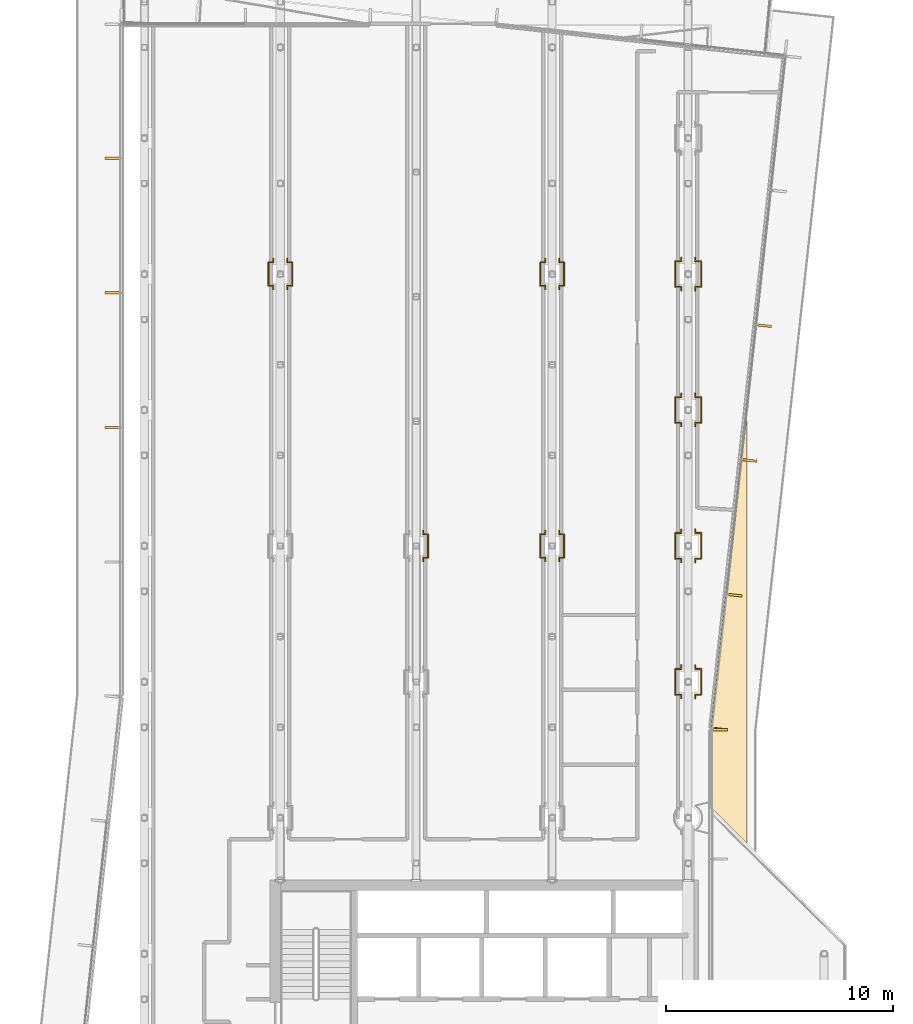
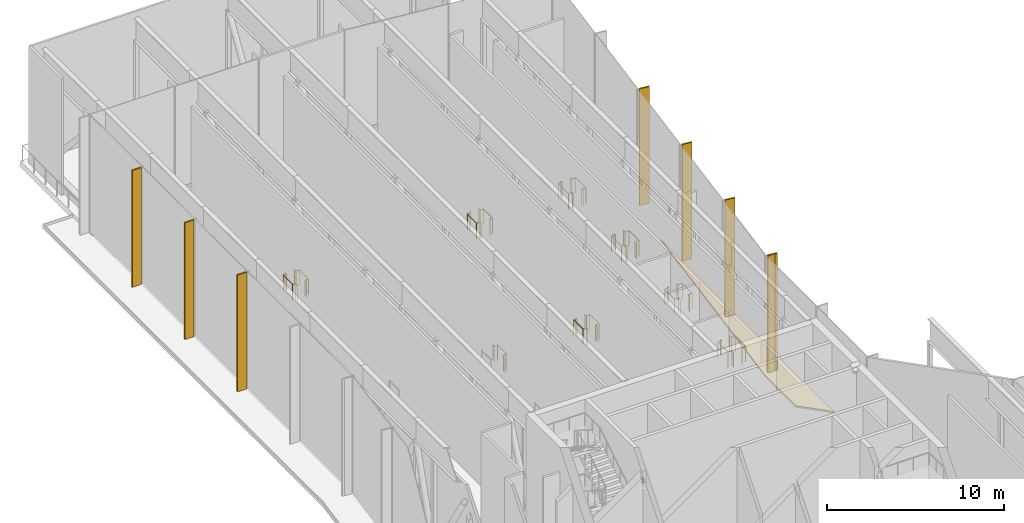
# One storey, part 20 of 21: 15 railings, 9 coverings.
"""IFC4 building model written with IfcOpenShell, lengths in metres."""

import ifcopenshell
import ifcopenshell.guid

model = None  # the IFC model being written
_history = None  # IfcOwnerHistory: only IFC2X3 demands one
_inside = {}  # id of a spatial element -> (the spatial element, [elements in it])
_under = {}  # id of a project, library or spatial element -> (it, [spatial elements below it])
_declared = {}  # id of a project -> (the project, [libraries it declares])
_typed = {}  # id of a type object -> (the type object, [elements of that type])
_made_of = {}  # id of a material, layer set ... -> (it, [elements and type objects made of it])


def new_model(schema):
    """Start an empty IFC model of exactly this schema.

    Asked for "IFC4X3", IfcOpenShell would pick the latest addendum, in which some entities
    have other attributes; the version numbers below select the first issue.
    IFC2X3 requires an IfcOwnerHistory on every rooted entity: one is made here for all.
    """
    global model, _history
    if schema == "IFC4X3":
        model = ifcopenshell.file(schema_version=(4, 3, 0, 0))
    else:
        model = ifcopenshell.file(schema=schema)
    _inside.clear()
    _under.clear()
    _declared.clear()
    _typed.clear()
    _made_of.clear()
    _history = None
    if model.schema == "IFC2X3":
        org = make("IfcOrganization", Name="unknown")
        user = make(
            "IfcPersonAndOrganization",
            ThePerson=make("IfcPerson", FamilyName="unknown"),
            TheOrganization=org,
        )
        app = make(
            "IfcApplication",
            ApplicationDeveloper=org,
            Version="unknown",
            ApplicationFullName="unknown",
            ApplicationIdentifier="unknown",
        )
        _history = make(
            "IfcOwnerHistory",
            OwningUser=user,
            OwningApplication=app,
            ChangeAction="ADDED",
            CreationDate=0,
        )
    return model


def make(cls, **values):
    """One entity of the class cls with the attributes given. An attribute that is None is left unset."""
    return model.create_entity(
        cls, **{name: value for name, value in values.items() if value is not None}
    )


def rooted(cls, **values):
    """An entity with a GlobalId (a new one), such as an element, a storey or a relation."""
    return make(cls, GlobalId=ifcopenshell.guid.new(), OwnerHistory=_history, **values)


def si_unit(unit_type, name, prefix=None):
    """IfcSIUnit, for example si_unit("LENGTHUNIT", "METRE", prefix="MILLI")."""
    return make("IfcSIUnit", UnitType=unit_type, Prefix=prefix, Name=name)


def assignment(units):
    """IfcUnitAssignment: the units of a project."""
    return None if units is None else make("IfcUnitAssignment", Units=units)


def point(xyz):
    """IfcCartesianPoint."""
    return None if xyz is None else make("IfcCartesianPoint", Coordinates=xyz)


def direction(xyz):
    """IfcDirection."""
    return None if xyz is None else make("IfcDirection", DirectionRatios=xyz)


def frame(location, z_axis=None, x_axis=None):
    """IfcAxis2Placement3D, a coordinate frame: its origin and axes. An axis left out is left unset."""
    return make(
        "IfcAxis2Placement3D",
        Location=point(location),
        Axis=direction(z_axis),
        RefDirection=direction(x_axis),
    )


def frame_2d(location, x_axis=None):
    """IfcAxis2Placement2D, a coordinate frame in the plane: its origin and x axis."""
    return make(
        "IfcAxis2Placement2D", Location=point(location), RefDirection=direction(x_axis)
    )


def origin():
    """The frame at (0, 0, 0) with its axes left unset."""
    return frame((0.0, 0.0, 0.0))


def origin_2d():
    """The frame at (0, 0) in the plane with its x axis left unset."""
    return frame_2d((0.0, 0.0))


def place(relative_to, where):
    """IfcLocalPlacement: puts the frame where relative to a parent placement (None: the world)."""
    return make(
        "IfcLocalPlacement", PlacementRelTo=relative_to, RelativePlacement=where
    )


def context(
    kind, dimensions, precision=None, world=None, true_north=None, identifier=None
):
    """IfcGeometricRepresentationContext, for example the 3D "Model" context."""
    return make(
        "IfcGeometricRepresentationContext",
        ContextIdentifier=identifier,
        ContextType=kind,
        CoordinateSpaceDimension=dimensions,
        Precision=precision,
        WorldCoordinateSystem=world,
        TrueNorth=true_north,
    )


def subcontext(parent, identifier, kind, view, scale=None):
    """IfcGeometricRepresentationSubContext, for example "Body" below "Model"."""
    return make(
        "IfcGeometricRepresentationSubContext",
        ContextIdentifier=identifier,
        ContextType=kind,
        ParentContext=parent,
        TargetScale=scale,
        TargetView=view,
    )


def project(units=None, contexts=None):
    """IfcProject with its units and contexts."""
    return rooted(
        "IfcProject",
        Name="project",
        RepresentationContexts=contexts,
        UnitsInContext=assignment(units),
    )


def spatial(cls, under=None, at=None, **own):
    """A site, building, storey or space (cls), placed at a placement, below another one or the project."""
    s = rooted(cls, ObjectPlacement=at, **own)
    if under is not None:
        _under.setdefault(under.id(), (under, []))[1].append(s)
    return s


def polyline(points):
    """IfcPolyline through the points."""
    return make("IfcPolyline", Points=[point(p) for p in points])


def profile(cls, at=None, kind="AREA", **sizes):
    """A parametric profile (cls). Its sizes go by their IFC names, for example OverallWidth=200.0."""
    return make(cls, ProfileType=kind, Position=at, **sizes)


def rectangle(**sizes):
    """IfcRectangleProfileDef."""
    return profile("IfcRectangleProfileDef", **sizes)


def circle(**sizes):
    """IfcCircleProfileDef."""
    return profile("IfcCircleProfileDef", **sizes)


def outline(outer, holes=None, kind="AREA"):
    """IfcArbitraryClosedProfileDef: a profile drawn as a closed curve; with holes, ...WithVoids."""
    if holes is None:
        return make("IfcArbitraryClosedProfileDef", ProfileType=kind, OuterCurve=outer)
    return make(
        "IfcArbitraryProfileDefWithVoids",
        ProfileType=kind,
        OuterCurve=outer,
        InnerCurves=holes,
    )


def extrude(swept, where, along, depth):
    """IfcExtrudedAreaSolid: the profile swept, set in the frame where, extruded along a direction by depth."""
    return make(
        "IfcExtrudedAreaSolid",
        SweptArea=swept,
        Position=where,
        ExtrudedDirection=direction(along),
        Depth=depth,
    )


def shape(context_of_items, identifier, shape_type, items):
    """IfcShapeRepresentation: the items that make up one representation, for example the "Body"."""
    return make(
        "IfcShapeRepresentation",
        ContextOfItems=context_of_items,
        RepresentationIdentifier=identifier,
        RepresentationType=shape_type,
        Items=items,
    )


def material(Name=None, Category=None):
    """IfcMaterial."""
    return make("IfcMaterial", Name=Name, Category=Category)


def layer(
    of_material, thickness, ventilated=None, Name=None, Category=None, Priority=None
):
    """IfcMaterialLayer: one layer of a wall or slab, of a material (None: an air gap)."""
    return make(
        "IfcMaterialLayer",
        Material=of_material,
        LayerThickness=thickness,
        IsVentilated=ventilated,
        Name=Name,
        Category=Category,
        Priority=Priority,
    )


def layer_set(layers, Name=None):
    """IfcMaterialLayerSet."""
    return make("IfcMaterialLayerSet", MaterialLayers=layers, LayerSetName=Name)


def made_of(thing, what):
    """Note that an element or type object is made of a material, layer set ...; save() writes the relation."""
    if what is not None:
        _made_of.setdefault(what.id(), (what, []))[1].append(thing)
    return thing


def type_object(cls, material=None, **own):
    """A type object (cls), such as IfcWallType, which elements share."""
    return made_of(rooted(cls, **own), material)


def element(
    cls,
    number,
    at=None,
    inside=None,
    cuts=None,
    type_object=None,
    material=None,
    context=None,
    identifier="Body",
    shape_type=None,
    held_by="IfcProductDefinitionShape",
    body=None,
    shapes=None,
    **own,
):
    """One element of the class cls, such as IfcWall. Its Tag is "e" and its number.

    at: its placement. inside: the storey or other place that contains it. cuts: it is an
    opening in that element (IfcRelVoidsElement). A single representation is given by context,
    identifier, shape_type and body (its items); several are given by shapes. held_by: the class
    of the entity that holds the representations. save() writes the other relations.
    """
    e = rooted(cls, Tag="e%d" % number, ObjectPlacement=at, **own)
    if body is not None:
        shapes = [shape(context, identifier, shape_type, body)]
    if shapes is not None:
        e.Representation = make(held_by, Representations=shapes)
    if inside is not None:
        _inside.setdefault(inside.id(), (inside, []))[1].append(e)
    if cuts is not None:
        rooted(
            "IfcRelVoidsElement", RelatingBuildingElement=cuts, RelatedOpeningElement=e
        )
    if type_object is not None:
        _typed.setdefault(type_object.id(), (type_object, []))[1].append(e)
    return made_of(e, material)


def aggregate(whole, parts):
    """IfcRelAggregates: a whole, such as a stair, and the parts it consists of."""
    return rooted("IfcRelAggregates", RelatingObject=whole, RelatedObjects=parts)


def save(model, path):
    """Write the relations noted so far, then the file.

    IfcRelAggregates (storeys below a building ...), IfcRelContainedInSpatialStructure (elements
    in a storey), IfcRelDefinesByType, IfcRelAssociatesMaterial and IfcRelDeclares: one each for
    every whole, place, type object, material and project.
    """
    for whole, parts in _under.values():
        aggregate(whole, parts)
    for where, things in _inside.values():
        rooted(
            "IfcRelContainedInSpatialStructure",
            RelatedElements=things,
            RelatingStructure=where,
        )
    for kind, things in _typed.values():
        rooted("IfcRelDefinesByType", RelatedObjects=things, RelatingType=kind)
    for what, things in _made_of.values():
        rooted("IfcRelAssociatesMaterial", RelatedObjects=things, RelatingMaterial=what)
    for by, libraries in _declared.values():
        rooted("IfcRelDeclares", RelatingContext=by, RelatedDefinitions=libraries)
    model.write(path)


model = new_model("IFC4")

# Units and contexts
model_context = context("Model", 3, precision=1e-05, world=origin(), true_north=direction((0.0, 1.0)))
body_context = subcontext(model_context, "Body", "Model", "MODEL_VIEW")
ifc_project = project(units=[si_unit("LENGTHUNIT", "METRE"), si_unit("AREAUNIT", "SQUARE_METRE"), si_unit("VOLUMEUNIT", "CUBIC_METRE"), si_unit("PLANEANGLEUNIT", "RADIAN"), si_unit("MASSUNIT", "GRAM", prefix="KILO")], contexts=[model_context])

# Site, building, storey
site_placement = place(None, origin())
site = spatial("IfcSite", under=ifc_project, at=site_placement, CompositionType="ELEMENT")
building_placement = place(site_placement, origin())
building = spatial("IfcBuilding", under=site, at=building_placement, Name="Welwitschia Terrace Campus", CompositionType="ELEMENT")
storey_placement = place(building_placement, frame((0.0, 0.0, 255.800048828125)))
storey = spatial("IfcBuildingStorey", under=building, at=storey_placement, Name="L57", CompositionType="ELEMENT", Elevation=255.800048828125)

# Coverings
ifc_material_1 = material(Name="Bronze anodised aluminium", Category="aluminium")
ifc_layer_1 = layer(ifc_material_1, 0.10009765625)
ifc_layer_set_1 = layer_set([ifc_layer_1], Name="Bronze anodised aluminium")
covering_type_1 = type_object("IfcCoveringType", Name="Bronze fin 100x600", PredefinedType="USERDEFINED", material=ifc_layer_set_1)
for number, where, z_axis, x_axis, name in (
    (1, (25.429931640625, 31.89111328125, 0.0), (0.0, 0.0, 1.0), (0.0, 1.0, 0.0), "Fin L57.3.2"),
    (2, (25.430908203125, 31.90966796875, 0.0), (0.0, 0.0, 1.0), (0.108866874852, 0.994056338222, 0.0), "Fin L57.4.0"),
    (3, (26.078857421875, 37.82470703125, 0.0), (0.0, 0.0, 1.0), (0.108866874852, 0.994056338222, 0.0), "Fin L57.4.1"),
    (4, (26.72998046875, 43.769775390625, 0.0), (0.0, 0.0, 1.0), (0.108866874852, 0.994056338222, 0.0), "Fin L57.4.2"),
    (5, (27.381103515625, 49.71484375, 0.0), (0.0, 0.0, 1.0), (0.108866874852, 0.994056338222, 0.0), "Fin L57.4.3"),
    (6, (-1.429931640625, 57.109130859375, 0.0), (0.0, 0.0, 1.0), (0.0, -1.0, 0.0), "Fin L57.7.1"),
    (7, (-1.429931640625, 51.16845703125, 0.0), (0.0, 0.0, 1.0), (0.0, -1.0, 0.0), "Fin L57.7.2"),
    (8, (-1.429931640625, 45.227783203125, 0.0), (0.0, 0.0, 1.0), (0.0, -1.0, 0.0), "Fin L57.7.3"),
):
    element("IfcCovering", number, at=place(storey_placement, frame(where, z_axis=z_axis, x_axis=x_axis)), inside=storey, type_object=covering_type_1, Name=name, ObjectType="FIN", PredefinedType="USERDEFINED", context=body_context, shape_type="SweptSolid", body=[
        extrude(rectangle(XDim=0.10009765625, YDim=0.60009765625, at=origin_2d()), origin(), (0.0, 0.0, 1.0), 8.050048828125),
    ])

# Railings
ifc_material_2 = material(Name="Stainless steel grade 316", Category="steel")
railing_type = type_object("IfcRailingType", Name="Guard 1100", PredefinedType="GUARDRAIL", material=ifc_material_2)
railing_1_placement = place(storey_placement, frame((23.695068359375, 40.72998046875, 0.0)))
element("IfcRailing", 9, at=railing_1_placement, inside=storey, type_object=railing_type, Name="Guard floor edge L57.8", PredefinedType="GUARDRAIL", context=body_context, shape_type="SweptSolid", body=[
    extrude(circle(Radius=0.02392578125, at=origin_2d()), frame((0.0, 0.0, 1.076171875), z_axis=(0.0, -1.0, 0.0), x_axis=(1.0, 0.0, 0.0)), (0.0, 0.0, 1.0), 0.159912109375),
    extrude(circle(Radius=0.02392578125, at=origin_2d()), frame((0.0, -0.159912109375, 1.076171875), z_axis=(-1.0, 0.0, 0.0), x_axis=(0.0, -1.0, 0.0)), (0.0, 0.0, 1.0), 0.26513671875),
    extrude(circle(Radius=0.02392578125, at=origin_2d()), frame((-0.26513671875, -0.159912109375, 1.076171875), z_axis=(0.0, -1.0, 0.0), x_axis=(1.0, 0.0, 0.0)), (0.0, 0.0, 1.0), 1.14013671875),
    extrude(circle(Radius=0.02392578125, at=origin_2d()), frame((-0.26513671875, -1.300048828125, 1.076171875), z_axis=(1.0, 0.0, 0.0), x_axis=(0.0, 1.0, 0.0)), (0.0, 0.0, 1.0), 0.26513671875),
    extrude(circle(Radius=0.02392578125, at=origin_2d()), frame((0.0, -1.300048828125, 1.076171875), z_axis=(0.0, -1.0, 0.0), x_axis=(1.0, 0.0, 0.0)), (0.0, 0.0, 1.0), 0.159912109375),
    extrude(circle(Radius=0.02099609375, at=origin_2d()), origin(), (0.0, 0.0, 1.0), 1.052001953125),
    extrude(circle(Radius=0.02099609375, at=origin_2d()), frame((0.0, -0.159912109375, 0.0)), (0.0, 0.0, 1.0), 1.052001953125),
    extrude(circle(Radius=0.02099609375, at=origin_2d()), frame((-0.26513671875, -0.159912109375, 0.0)), (0.0, 0.0, 1.0), 1.052001953125),
    extrude(circle(Radius=0.02099609375, at=origin_2d()), frame((-0.26513671875, -1.300048828125, 0.0)), (0.0, 0.0, 1.0), 1.052001953125),
    extrude(circle(Radius=0.02099609375, at=origin_2d()), frame((0.0, -1.300048828125, 0.0)), (0.0, 0.0, 1.0), 1.052001953125),
    extrude(circle(Radius=0.02099609375, at=origin_2d()), frame((0.0, -1.4599609375, 0.0)), (0.0, 0.0, 1.0), 1.052001953125),
])
railing_2_placement = place(storey_placement, frame((24.304931640625, 39.27001953125, 0.0)))
element("IfcRailing", 10, at=railing_2_placement, inside=storey, type_object=railing_type, Name="Guard floor edge L57.9", PredefinedType="GUARDRAIL", context=body_context, shape_type="SweptSolid", body=[
    extrude(circle(Radius=0.02392578125, at=origin_2d()), frame((0.0, 0.0, 1.076171875), z_axis=(0.0, 1.0, 0.0), x_axis=(-1.0, 0.0, 0.0)), (0.0, 0.0, 1.0), 0.159912109375),
    extrude(circle(Radius=0.02392578125, at=origin_2d()), frame((0.0, 0.159912109375, 1.076171875), z_axis=(1.0, 0.0, 0.0), x_axis=(0.0, 1.0, 0.0)), (0.0, 0.0, 1.0), 0.26513671875),
    extrude(circle(Radius=0.02392578125, at=origin_2d()), frame((0.26513671875, 0.159912109375, 1.076171875), z_axis=(0.0, 1.0, 0.0), x_axis=(-1.0, 0.0, 0.0)), (0.0, 0.0, 1.0), 1.14013671875),
    extrude(circle(Radius=0.02392578125, at=origin_2d()), frame((0.26513671875, 1.300048828125, 1.076171875), z_axis=(-1.0, 0.0, 0.0), x_axis=(0.0, -1.0, 0.0)), (0.0, 0.0, 1.0), 0.26513671875),
    extrude(circle(Radius=0.02392578125, at=origin_2d()), frame((0.0, 1.300048828125, 1.076171875), z_axis=(0.0, 1.0, 0.0), x_axis=(-1.0, 0.0, 0.0)), (0.0, 0.0, 1.0), 0.159912109375),
    extrude(circle(Radius=0.02099609375, at=origin_2d()), origin(), (0.0, 0.0, 1.0), 1.052001953125),
    extrude(circle(Radius=0.02099609375, at=origin_2d()), frame((0.0, 0.159912109375, 0.0)), (0.0, 0.0, 1.0), 1.052001953125),
    extrude(circle(Radius=0.02099609375, at=origin_2d()), frame((0.26513671875, 0.159912109375, 0.0)), (0.0, 0.0, 1.0), 1.052001953125),
    extrude(circle(Radius=0.02099609375, at=origin_2d()), frame((0.26513671875, 1.300048828125, 0.0)), (0.0, 0.0, 1.0), 1.052001953125),
    extrude(circle(Radius=0.02099609375, at=origin_2d()), frame((0.0, 1.300048828125, 0.0)), (0.0, 0.0, 1.0), 1.052001953125),
    extrude(circle(Radius=0.02099609375, at=origin_2d()), frame((0.0, 1.4599609375, 0.0)), (0.0, 0.0, 1.0), 1.052001953125),
])
railing_3_placement = place(storey_placement, frame((23.695068359375, 46.72998046875, 0.0)))
element("IfcRailing", 11, at=railing_3_placement, inside=storey, type_object=railing_type, Name="Guard floor edge L57.10", PredefinedType="GUARDRAIL", context=body_context, shape_type="SweptSolid", body=[
    extrude(circle(Radius=0.02392578125, at=origin_2d()), frame((0.0, 0.0, 1.076171875), z_axis=(0.0, -1.0, 0.0), x_axis=(1.0, 0.0, 0.0)), (0.0, 0.0, 1.0), 0.159912109375),
    extrude(circle(Radius=0.02392578125, at=origin_2d()), frame((0.0, -0.159912109375, 1.076171875), z_axis=(-1.0, 0.0, 0.0), x_axis=(0.0, -1.0, 0.0)), (0.0, 0.0, 1.0), 0.26513671875),
    extrude(circle(Radius=0.02392578125, at=origin_2d()), frame((-0.26513671875, -0.159912109375, 1.076171875), z_axis=(0.0, -1.0, 0.0), x_axis=(1.0, 0.0, 0.0)), (0.0, 0.0, 1.0), 1.14013671875),
    extrude(circle(Radius=0.02392578125, at=origin_2d()), frame((-0.26513671875, -1.300048828125, 1.076171875), z_axis=(1.0, 0.0, 0.0), x_axis=(0.0, 1.0, 0.0)), (0.0, 0.0, 1.0), 0.26513671875),
    extrude(circle(Radius=0.02392578125, at=origin_2d()), frame((0.0, -1.300048828125, 1.076171875), z_axis=(0.0, -1.0, 0.0), x_axis=(1.0, 0.0, 0.0)), (0.0, 0.0, 1.0), 0.159912109375),
    extrude(circle(Radius=0.02099609375, at=origin_2d()), origin(), (0.0, 0.0, 1.0), 1.052001953125),
    extrude(circle(Radius=0.02099609375, at=origin_2d()), frame((0.0, -0.159912109375, 0.0)), (0.0, 0.0, 1.0), 1.052001953125),
    extrude(circle(Radius=0.02099609375, at=origin_2d()), frame((-0.26513671875, -0.159912109375, 0.0)), (0.0, 0.0, 1.0), 1.052001953125),
    extrude(circle(Radius=0.02099609375, at=origin_2d()), frame((-0.26513671875, -1.300048828125, 0.0)), (0.0, 0.0, 1.0), 1.052001953125),
    extrude(circle(Radius=0.02099609375, at=origin_2d()), frame((0.0, -1.300048828125, 0.0)), (0.0, 0.0, 1.0), 1.052001953125),
    extrude(circle(Radius=0.02099609375, at=origin_2d()), frame((0.0, -1.4599609375, 0.0)), (0.0, 0.0, 1.0), 1.052001953125),
])
railing_4_placement = place(storey_placement, frame((24.304931640625, 45.27001953125, 0.0)))
element("IfcRailing", 12, at=railing_4_placement, inside=storey, type_object=railing_type, Name="Guard floor edge L57.11", PredefinedType="GUARDRAIL", context=body_context, shape_type="SweptSolid", body=[
    extrude(circle(Radius=0.02392578125, at=origin_2d()), frame((0.0, 0.0, 1.076171875), z_axis=(0.0, 1.0, 0.0), x_axis=(-1.0, 0.0, 0.0)), (0.0, 0.0, 1.0), 0.159912109375),
    extrude(circle(Radius=0.02392578125, at=origin_2d()), frame((0.0, 0.159912109375, 1.076171875), z_axis=(1.0, 0.0, 0.0), x_axis=(0.0, 1.0, 0.0)), (0.0, 0.0, 1.0), 0.26513671875),
    extrude(circle(Radius=0.02392578125, at=origin_2d()), frame((0.26513671875, 0.159912109375, 1.076171875), z_axis=(0.0, 1.0, 0.0), x_axis=(-1.0, 0.0, 0.0)), (0.0, 0.0, 1.0), 1.14013671875),
    extrude(circle(Radius=0.02392578125, at=origin_2d()), frame((0.26513671875, 1.300048828125, 1.076171875), z_axis=(-1.0, 0.0, 0.0), x_axis=(0.0, -1.0, 0.0)), (0.0, 0.0, 1.0), 0.26513671875),
    extrude(circle(Radius=0.02392578125, at=origin_2d()), frame((0.0, 1.300048828125, 1.076171875), z_axis=(0.0, 1.0, 0.0), x_axis=(-1.0, 0.0, 0.0)), (0.0, 0.0, 1.0), 0.159912109375),
    extrude(circle(Radius=0.02099609375, at=origin_2d()), origin(), (0.0, 0.0, 1.0), 1.052001953125),
    extrude(circle(Radius=0.02099609375, at=origin_2d()), frame((0.0, 0.159912109375, 0.0)), (0.0, 0.0, 1.0), 1.052001953125),
    extrude(circle(Radius=0.02099609375, at=origin_2d()), frame((0.26513671875, 0.159912109375, 0.0)), (0.0, 0.0, 1.0), 1.052001953125),
    extrude(circle(Radius=0.02099609375, at=origin_2d()), frame((0.26513671875, 1.300048828125, 0.0)), (0.0, 0.0, 1.0), 1.052001953125),
    extrude(circle(Radius=0.02099609375, at=origin_2d()), frame((0.0, 1.300048828125, 0.0)), (0.0, 0.0, 1.0), 1.052001953125),
    extrude(circle(Radius=0.02099609375, at=origin_2d()), frame((0.0, 1.4599609375, 0.0)), (0.0, 0.0, 1.0), 1.052001953125),
])
railing_5_placement = place(storey_placement, frame((23.695068359375, 52.72998046875, 0.0)))
element("IfcRailing", 13, at=railing_5_placement, inside=storey, type_object=railing_type, Name="Guard floor edge L57.12", PredefinedType="GUARDRAIL", context=body_context, shape_type="SweptSolid", body=[
    extrude(circle(Radius=0.02392578125, at=origin_2d()), frame((0.0, 0.0, 1.076171875), z_axis=(0.0, -1.0, 0.0), x_axis=(1.0, 0.0, 0.0)), (0.0, 0.0, 1.0), 0.159912109375),
    extrude(circle(Radius=0.02392578125, at=origin_2d()), frame((0.0, -0.159912109375, 1.076171875), z_axis=(-1.0, 0.0, 0.0), x_axis=(0.0, -1.0, 0.0)), (0.0, 0.0, 1.0), 0.26513671875),
    extrude(circle(Radius=0.02392578125, at=origin_2d()), frame((-0.26513671875, -0.159912109375, 1.076171875), z_axis=(0.0, -1.0, 0.0), x_axis=(1.0, 0.0, 0.0)), (0.0, 0.0, 1.0), 1.14013671875),
    extrude(circle(Radius=0.02392578125, at=origin_2d()), frame((-0.26513671875, -1.300048828125, 1.076171875), z_axis=(1.0, 0.0, 0.0), x_axis=(0.0, 1.0, 0.0)), (0.0, 0.0, 1.0), 0.26513671875),
    extrude(circle(Radius=0.02392578125, at=origin_2d()), frame((0.0, -1.300048828125, 1.076171875), z_axis=(0.0, -1.0, 0.0), x_axis=(1.0, 0.0, 0.0)), (0.0, 0.0, 1.0), 0.159912109375),
    extrude(circle(Radius=0.02099609375, at=origin_2d()), origin(), (0.0, 0.0, 1.0), 1.052001953125),
    extrude(circle(Radius=0.02099609375, at=origin_2d()), frame((0.0, -0.159912109375, 0.0)), (0.0, 0.0, 1.0), 1.052001953125),
    extrude(circle(Radius=0.02099609375, at=origin_2d()), frame((-0.26513671875, -0.159912109375, 0.0)), (0.0, 0.0, 1.0), 1.052001953125),
    extrude(circle(Radius=0.02099609375, at=origin_2d()), frame((-0.26513671875, -1.300048828125, 0.0)), (0.0, 0.0, 1.0), 1.052001953125),
    extrude(circle(Radius=0.02099609375, at=origin_2d()), frame((0.0, -1.300048828125, 0.0)), (0.0, 0.0, 1.0), 1.052001953125),
    extrude(circle(Radius=0.02099609375, at=origin_2d()), frame((0.0, -1.4599609375, 0.0)), (0.0, 0.0, 1.0), 1.052001953125),
])
railing_6_placement = place(storey_placement, frame((24.304931640625, 51.27001953125, 0.0)))
element("IfcRailing", 14, at=railing_6_placement, inside=storey, type_object=railing_type, Name="Guard floor edge L57.13", PredefinedType="GUARDRAIL", context=body_context, shape_type="SweptSolid", body=[
    extrude(circle(Radius=0.02392578125, at=origin_2d()), frame((0.0, 0.0, 1.076171875), z_axis=(0.0, 1.0, 0.0), x_axis=(-1.0, 0.0, 0.0)), (0.0, 0.0, 1.0), 0.159912109375),
    extrude(circle(Radius=0.02392578125, at=origin_2d()), frame((0.0, 0.159912109375, 1.076171875), z_axis=(1.0, 0.0, 0.0), x_axis=(0.0, 1.0, 0.0)), (0.0, 0.0, 1.0), 0.26513671875),
    extrude(circle(Radius=0.02392578125, at=origin_2d()), frame((0.26513671875, 0.159912109375, 1.076171875), z_axis=(0.0, 1.0, 0.0), x_axis=(-1.0, 0.0, 0.0)), (0.0, 0.0, 1.0), 1.14013671875),
    extrude(circle(Radius=0.02392578125, at=origin_2d()), frame((0.26513671875, 1.300048828125, 1.076171875), z_axis=(-1.0, 0.0, 0.0), x_axis=(0.0, -1.0, 0.0)), (0.0, 0.0, 1.0), 0.26513671875),
    extrude(circle(Radius=0.02392578125, at=origin_2d()), frame((0.0, 1.300048828125, 1.076171875), z_axis=(0.0, 1.0, 0.0), x_axis=(-1.0, 0.0, 0.0)), (0.0, 0.0, 1.0), 0.159912109375),
    extrude(circle(Radius=0.02099609375, at=origin_2d()), origin(), (0.0, 0.0, 1.0), 1.052001953125),
    extrude(circle(Radius=0.02099609375, at=origin_2d()), frame((0.0, 0.159912109375, 0.0)), (0.0, 0.0, 1.0), 1.052001953125),
    extrude(circle(Radius=0.02099609375, at=origin_2d()), frame((0.26513671875, 0.159912109375, 0.0)), (0.0, 0.0, 1.0), 1.052001953125),
    extrude(circle(Radius=0.02099609375, at=origin_2d()), frame((0.26513671875, 1.300048828125, 0.0)), (0.0, 0.0, 1.0), 1.052001953125),
    extrude(circle(Radius=0.02099609375, at=origin_2d()), frame((0.0, 1.300048828125, 0.0)), (0.0, 0.0, 1.0), 1.052001953125),
    extrude(circle(Radius=0.02099609375, at=origin_2d()), frame((0.0, 1.4599609375, 0.0)), (0.0, 0.0, 1.0), 1.052001953125),
])
railing_7_placement = place(storey_placement, frame((23.695068359375, 34.72998046875, 0.0)))
element("IfcRailing", 15, at=railing_7_placement, inside=storey, type_object=railing_type, Name="Guard floor edge L57.16", PredefinedType="GUARDRAIL", context=body_context, shape_type="SweptSolid", body=[
    extrude(circle(Radius=0.02392578125, at=origin_2d()), frame((0.0, 0.0, 1.076171875), z_axis=(0.0, -1.0, 0.0), x_axis=(1.0, 0.0, 0.0)), (0.0, 0.0, 1.0), 0.159912109375),
    extrude(circle(Radius=0.02392578125, at=origin_2d()), frame((0.0, -0.159912109375, 1.076171875), z_axis=(-1.0, 0.0, 0.0), x_axis=(0.0, -1.0, 0.0)), (0.0, 0.0, 1.0), 0.26513671875),
    extrude(circle(Radius=0.02392578125, at=origin_2d()), frame((-0.26513671875, -0.159912109375, 1.076171875), z_axis=(0.0, -1.0, 0.0), x_axis=(1.0, 0.0, 0.0)), (0.0, 0.0, 1.0), 1.14013671875),
    extrude(circle(Radius=0.02392578125, at=origin_2d()), frame((-0.26513671875, -1.300048828125, 1.076171875), z_axis=(1.0, 0.0, 0.0), x_axis=(0.0, 1.0, 0.0)), (0.0, 0.0, 1.0), 0.26513671875),
    extrude(circle(Radius=0.02392578125, at=origin_2d()), frame((0.0, -1.300048828125, 1.076171875), z_axis=(0.0, -1.0, 0.0), x_axis=(1.0, 0.0, 0.0)), (0.0, 0.0, 1.0), 0.159912109375),
    extrude(circle(Radius=0.02099609375, at=origin_2d()), origin(), (0.0, 0.0, 1.0), 1.052001953125),
    extrude(circle(Radius=0.02099609375, at=origin_2d()), frame((0.0, -0.159912109375, 0.0)), (0.0, 0.0, 1.0), 1.052001953125),
    extrude(circle(Radius=0.02099609375, at=origin_2d()), frame((-0.26513671875, -0.159912109375, 0.0)), (0.0, 0.0, 1.0), 1.052001953125),
    extrude(circle(Radius=0.02099609375, at=origin_2d()), frame((-0.26513671875, -1.300048828125, 0.0)), (0.0, 0.0, 1.0), 1.052001953125),
    extrude(circle(Radius=0.02099609375, at=origin_2d()), frame((0.0, -1.300048828125, 0.0)), (0.0, 0.0, 1.0), 1.052001953125),
    extrude(circle(Radius=0.02099609375, at=origin_2d()), frame((0.0, -1.4599609375, 0.0)), (0.0, 0.0, 1.0), 1.052001953125),
])
railing_8_placement = place(storey_placement, frame((24.304931640625, 33.27001953125, 0.0)))
element("IfcRailing", 16, at=railing_8_placement, inside=storey, type_object=railing_type, Name="Guard floor edge L57.17", PredefinedType="GUARDRAIL", context=body_context, shape_type="SweptSolid", body=[
    extrude(circle(Radius=0.02392578125, at=origin_2d()), frame((0.0, 0.0, 1.076171875), z_axis=(0.0, 1.0, 0.0), x_axis=(-1.0, 0.0, 0.0)), (0.0, 0.0, 1.0), 0.159912109375),
    extrude(circle(Radius=0.02392578125, at=origin_2d()), frame((0.0, 0.159912109375, 1.076171875), z_axis=(1.0, 0.0, 0.0), x_axis=(0.0, 1.0, 0.0)), (0.0, 0.0, 1.0), 0.26513671875),
    extrude(circle(Radius=0.02392578125, at=origin_2d()), frame((0.26513671875, 0.159912109375, 1.076171875), z_axis=(0.0, 1.0, 0.0), x_axis=(-1.0, 0.0, 0.0)), (0.0, 0.0, 1.0), 1.14013671875),
    extrude(circle(Radius=0.02392578125, at=origin_2d()), frame((0.26513671875, 1.300048828125, 1.076171875), z_axis=(-1.0, 0.0, 0.0), x_axis=(0.0, -1.0, 0.0)), (0.0, 0.0, 1.0), 0.26513671875),
    extrude(circle(Radius=0.02392578125, at=origin_2d()), frame((0.0, 1.300048828125, 1.076171875), z_axis=(0.0, 1.0, 0.0), x_axis=(-1.0, 0.0, 0.0)), (0.0, 0.0, 1.0), 0.159912109375),
    extrude(circle(Radius=0.02099609375, at=origin_2d()), origin(), (0.0, 0.0, 1.0), 1.052001953125),
    extrude(circle(Radius=0.02099609375, at=origin_2d()), frame((0.0, 0.159912109375, 0.0)), (0.0, 0.0, 1.0), 1.052001953125),
    extrude(circle(Radius=0.02099609375, at=origin_2d()), frame((0.26513671875, 0.159912109375, 0.0)), (0.0, 0.0, 1.0), 1.052001953125),
    extrude(circle(Radius=0.02099609375, at=origin_2d()), frame((0.26513671875, 1.300048828125, 0.0)), (0.0, 0.0, 1.0), 1.052001953125),
    extrude(circle(Radius=0.02099609375, at=origin_2d()), frame((0.0, 1.300048828125, 0.0)), (0.0, 0.0, 1.0), 1.052001953125),
    extrude(circle(Radius=0.02099609375, at=origin_2d()), frame((0.0, 1.4599609375, 0.0)), (0.0, 0.0, 1.0), 1.052001953125),
])
railing_9_placement = place(storey_placement, frame((17.695068359375, 40.679931640625, 0.0)))
element("IfcRailing", 17, at=railing_9_placement, inside=storey, type_object=railing_type, Name="Guard floor edge L57.21", PredefinedType="GUARDRAIL", context=body_context, shape_type="SweptSolid", body=[
    extrude(circle(Radius=0.02392578125, at=origin_2d()), frame((0.0, 0.0, 1.076171875), z_axis=(0.0, -1.0, 0.0), x_axis=(1.0, 0.0, 0.0)), (0.0, 0.0, 1.0), 0.159912109375),
    extrude(circle(Radius=0.02392578125, at=origin_2d()), frame((0.0, -0.159912109375, 1.076171875), z_axis=(-1.0, 0.0, 0.0), x_axis=(0.0, -1.0, 0.0)), (0.0, 0.0, 1.0), 0.215087890625),
    extrude(circle(Radius=0.02392578125, at=origin_2d()), frame((-0.215087890625, -0.159912109375, 1.076171875), z_axis=(0.0, -1.0, 0.0), x_axis=(1.0, 0.0, 0.0)), (0.0, 0.0, 1.0), 1.0400390625),
    extrude(circle(Radius=0.02392578125, at=origin_2d()), frame((-0.215087890625, -1.199951171875, 1.076171875), z_axis=(1.0, 0.0, 0.0), x_axis=(0.0, 1.0, 0.0)), (0.0, 0.0, 1.0), 0.215087890625),
    extrude(circle(Radius=0.02392578125, at=origin_2d()), frame((0.0, -1.199951171875, 1.076171875), z_axis=(0.0, -1.0, 0.0), x_axis=(1.0, 0.0, 0.0)), (0.0, 0.0, 1.0), 0.159912109375),
    extrude(circle(Radius=0.02099609375, at=origin_2d()), origin(), (0.0, 0.0, 1.0), 1.052001953125),
    extrude(circle(Radius=0.02099609375, at=origin_2d()), frame((0.0, -0.159912109375, 0.0)), (0.0, 0.0, 1.0), 1.052001953125),
    extrude(circle(Radius=0.02099609375, at=origin_2d()), frame((-0.215087890625, -0.159912109375, 0.0)), (0.0, 0.0, 1.0), 1.052001953125),
    extrude(circle(Radius=0.02099609375, at=origin_2d()), frame((-0.215087890625, -1.199951171875, 0.0)), (0.0, 0.0, 1.0), 1.052001953125),
    extrude(circle(Radius=0.02099609375, at=origin_2d()), frame((0.0, -1.199951171875, 0.0)), (0.0, 0.0, 1.0), 1.052001953125),
    extrude(circle(Radius=0.02099609375, at=origin_2d()), frame((0.0, -1.35986328125, 0.0)), (0.0, 0.0, 1.0), 1.052001953125),
])
railing_10_placement = place(storey_placement, frame((18.304931640625, 39.320068359375, 0.0)))
element("IfcRailing", 18, at=railing_10_placement, inside=storey, type_object=railing_type, Name="Guard floor edge L57.22", PredefinedType="GUARDRAIL", context=body_context, shape_type="SweptSolid", body=[
    extrude(circle(Radius=0.02392578125, at=origin_2d()), frame((0.0, 0.0, 1.076171875), z_axis=(0.0, 1.0, 0.0), x_axis=(-1.0, 0.0, 0.0)), (0.0, 0.0, 1.0), 0.159912109375),
    extrude(circle(Radius=0.02392578125, at=origin_2d()), frame((0.0, 0.159912109375, 1.076171875), z_axis=(1.0, 0.0, 0.0), x_axis=(0.0, 1.0, 0.0)), (0.0, 0.0, 1.0), 0.215087890625),
    extrude(circle(Radius=0.02392578125, at=origin_2d()), frame((0.215087890625, 0.159912109375, 1.076171875), z_axis=(0.0, 1.0, 0.0), x_axis=(-1.0, 0.0, 0.0)), (0.0, 0.0, 1.0), 1.0400390625),
    extrude(circle(Radius=0.02392578125, at=origin_2d()), frame((0.215087890625, 1.199951171875, 1.076171875), z_axis=(-1.0, 0.0, 0.0), x_axis=(0.0, -1.0, 0.0)), (0.0, 0.0, 1.0), 0.215087890625),
    extrude(circle(Radius=0.02392578125, at=origin_2d()), frame((0.0, 1.199951171875, 1.076171875), z_axis=(0.0, 1.0, 0.0), x_axis=(-1.0, 0.0, 0.0)), (0.0, 0.0, 1.0), 0.159912109375),
    extrude(circle(Radius=0.02099609375, at=origin_2d()), origin(), (0.0, 0.0, 1.0), 1.052001953125),
    extrude(circle(Radius=0.02099609375, at=origin_2d()), frame((0.0, 0.159912109375, 0.0)), (0.0, 0.0, 1.0), 1.052001953125),
    extrude(circle(Radius=0.02099609375, at=origin_2d()), frame((0.215087890625, 0.159912109375, 0.0)), (0.0, 0.0, 1.0), 1.052001953125),
    extrude(circle(Radius=0.02099609375, at=origin_2d()), frame((0.215087890625, 1.199951171875, 0.0)), (0.0, 0.0, 1.0), 1.052001953125),
    extrude(circle(Radius=0.02099609375, at=origin_2d()), frame((0.0, 1.199951171875, 0.0)), (0.0, 0.0, 1.0), 1.052001953125),
    extrude(circle(Radius=0.02099609375, at=origin_2d()), frame((0.0, 1.35986328125, 0.0)), (0.0, 0.0, 1.0), 1.052001953125),
])
railing_11_placement = place(storey_placement, frame((17.695068359375, 52.679931640625, 0.0)))
element("IfcRailing", 19, at=railing_11_placement, inside=storey, type_object=railing_type, Name="Guard floor edge L57.23", PredefinedType="GUARDRAIL", context=body_context, shape_type="SweptSolid", body=[
    extrude(circle(Radius=0.02392578125, at=origin_2d()), frame((0.0, 0.0, 1.076171875), z_axis=(0.0, -1.0, 0.0), x_axis=(1.0, 0.0, 0.0)), (0.0, 0.0, 1.0), 0.159912109375),
    extrude(circle(Radius=0.02392578125, at=origin_2d()), frame((0.0, -0.159912109375, 1.076171875), z_axis=(-1.0, 0.0, 0.0), x_axis=(0.0, -1.0, 0.0)), (0.0, 0.0, 1.0), 0.215087890625),
    extrude(circle(Radius=0.02392578125, at=origin_2d()), frame((-0.215087890625, -0.159912109375, 1.076171875), z_axis=(0.0, -1.0, 0.0), x_axis=(1.0, 0.0, 0.0)), (0.0, 0.0, 1.0), 1.0400390625),
    extrude(circle(Radius=0.02392578125, at=origin_2d()), frame((-0.215087890625, -1.199951171875, 1.076171875), z_axis=(1.0, 0.0, 0.0), x_axis=(0.0, 1.0, 0.0)), (0.0, 0.0, 1.0), 0.215087890625),
    extrude(circle(Radius=0.02392578125, at=origin_2d()), frame((0.0, -1.199951171875, 1.076171875), z_axis=(0.0, -1.0, 0.0), x_axis=(1.0, 0.0, 0.0)), (0.0, 0.0, 1.0), 0.159912109375),
    extrude(circle(Radius=0.02099609375, at=origin_2d()), origin(), (0.0, 0.0, 1.0), 1.052001953125),
    extrude(circle(Radius=0.02099609375, at=origin_2d()), frame((0.0, -0.159912109375, 0.0)), (0.0, 0.0, 1.0), 1.052001953125),
    extrude(circle(Radius=0.02099609375, at=origin_2d()), frame((-0.215087890625, -0.159912109375, 0.0)), (0.0, 0.0, 1.0), 1.052001953125),
    extrude(circle(Radius=0.02099609375, at=origin_2d()), frame((-0.215087890625, -1.199951171875, 0.0)), (0.0, 0.0, 1.0), 1.052001953125),
    extrude(circle(Radius=0.02099609375, at=origin_2d()), frame((0.0, -1.199951171875, 0.0)), (0.0, 0.0, 1.0), 1.052001953125),
    extrude(circle(Radius=0.02099609375, at=origin_2d()), frame((0.0, -1.35986328125, 0.0)), (0.0, 0.0, 1.0), 1.052001953125),
])
for number, where, name in (
    (20, (18.304931640625, 51.320068359375, 0.0), "Guard floor edge L57.24"),
    (21, (12.304931640625, 39.320068359375, 0.0), "Guard floor edge L57.29"),
):
    element("IfcRailing", number, at=place(storey_placement, frame(where)), inside=storey, type_object=railing_type, Name=name, PredefinedType="GUARDRAIL", context=body_context, shape_type="SweptSolid", body=[
        extrude(circle(Radius=0.02392578125, at=origin_2d()), frame((0.0, 0.0, 1.076171875), z_axis=(0.0, 1.0, 0.0), x_axis=(-1.0, 0.0, 0.0)), (0.0, 0.0, 1.0), 0.159912109375),
        extrude(circle(Radius=0.02392578125, at=origin_2d()), frame((0.0, 0.159912109375, 1.076171875), z_axis=(1.0, 0.0, 0.0), x_axis=(0.0, 1.0, 0.0)), (0.0, 0.0, 1.0), 0.215087890625),
        extrude(circle(Radius=0.02392578125, at=origin_2d()), frame((0.215087890625, 0.159912109375, 1.076171875), z_axis=(0.0, 1.0, 0.0), x_axis=(-1.0, 0.0, 0.0)), (0.0, 0.0, 1.0), 1.0400390625),
        extrude(circle(Radius=0.02392578125, at=origin_2d()), frame((0.215087890625, 1.199951171875, 1.076171875), z_axis=(-1.0, 0.0, 0.0), x_axis=(0.0, -1.0, 0.0)), (0.0, 0.0, 1.0), 0.215087890625),
        extrude(circle(Radius=0.02392578125, at=origin_2d()), frame((0.0, 1.199951171875, 1.076171875), z_axis=(0.0, 1.0, 0.0), x_axis=(-1.0, 0.0, 0.0)), (0.0, 0.0, 1.0), 0.159912109375),
        extrude(circle(Radius=0.02099609375, at=origin_2d()), origin(), (0.0, 0.0, 1.0), 1.052001953125),
        extrude(circle(Radius=0.02099609375, at=origin_2d()), frame((0.0, 0.159912109375, 0.0)), (0.0, 0.0, 1.0), 1.052001953125),
        extrude(circle(Radius=0.02099609375, at=origin_2d()), frame((0.215087890625, 0.159912109375, 0.0)), (0.0, 0.0, 1.0), 1.052001953125),
        extrude(circle(Radius=0.02099609375, at=origin_2d()), frame((0.215087890625, 1.199951171875, 0.0)), (0.0, 0.0, 1.0), 1.052001953125),
        extrude(circle(Radius=0.02099609375, at=origin_2d()), frame((0.0, 1.199951171875, 0.0)), (0.0, 0.0, 1.0), 1.052001953125),
        extrude(circle(Radius=0.02099609375, at=origin_2d()), frame((0.0, 1.35986328125, 0.0)), (0.0, 0.0, 1.0), 1.052001953125),
    ])
railing_12_placement = place(storey_placement, frame((5.695068359375, 52.679931640625, 0.0)))
element("IfcRailing", 22, at=railing_12_placement, inside=storey, type_object=railing_type, Name="Guard floor edge L57.35", PredefinedType="GUARDRAIL", context=body_context, shape_type="SweptSolid", body=[
    extrude(circle(Radius=0.02392578125, at=origin_2d()), frame((0.0, 0.0, 1.076171875), z_axis=(0.0, -1.0, 0.0), x_axis=(1.0, 0.0, 0.0)), (0.0, 0.0, 1.0), 0.159912109375),
    extrude(circle(Radius=0.02392578125, at=origin_2d()), frame((0.0, -0.159912109375, 1.076171875), z_axis=(-1.0, 0.0, 0.0), x_axis=(0.0, -1.0, 0.0)), (0.0, 0.0, 1.0), 0.215087890625),
    extrude(circle(Radius=0.02392578125, at=origin_2d()), frame((-0.215087890625, -0.159912109375, 1.076171875), z_axis=(0.0, -1.0, 0.0), x_axis=(1.0, 0.0, 0.0)), (0.0, 0.0, 1.0), 1.0400390625),
    extrude(circle(Radius=0.02392578125, at=origin_2d()), frame((-0.215087890625, -1.199951171875, 1.076171875), z_axis=(1.0, 0.0, 0.0), x_axis=(0.0, 1.0, 0.0)), (0.0, 0.0, 1.0), 0.215087890625),
    extrude(circle(Radius=0.02392578125, at=origin_2d()), frame((0.0, -1.199951171875, 1.076171875), z_axis=(0.0, -1.0, 0.0), x_axis=(1.0, 0.0, 0.0)), (0.0, 0.0, 1.0), 0.159912109375),
    extrude(circle(Radius=0.02099609375, at=origin_2d()), origin(), (0.0, 0.0, 1.0), 1.052001953125),
    extrude(circle(Radius=0.02099609375, at=origin_2d()), frame((0.0, -0.159912109375, 0.0)), (0.0, 0.0, 1.0), 1.052001953125),
    extrude(circle(Radius=0.02099609375, at=origin_2d()), frame((-0.215087890625, -0.159912109375, 0.0)), (0.0, 0.0, 1.0), 1.052001953125),
    extrude(circle(Radius=0.02099609375, at=origin_2d()), frame((-0.215087890625, -1.199951171875, 0.0)), (0.0, 0.0, 1.0), 1.052001953125),
    extrude(circle(Radius=0.02099609375, at=origin_2d()), frame((0.0, -1.199951171875, 0.0)), (0.0, 0.0, 1.0), 1.052001953125),
    extrude(circle(Radius=0.02099609375, at=origin_2d()), frame((0.0, -1.35986328125, 0.0)), (0.0, 0.0, 1.0), 1.052001953125),
])
railing_13_placement = place(storey_placement, frame((6.304931640625, 51.320068359375, 0.0)))
element("IfcRailing", 23, at=railing_13_placement, inside=storey, type_object=railing_type, Name="Guard floor edge L57.36", PredefinedType="GUARDRAIL", context=body_context, shape_type="SweptSolid", body=[
    extrude(circle(Radius=0.02392578125, at=origin_2d()), frame((0.0, 0.0, 1.076171875), z_axis=(0.0, 1.0, 0.0), x_axis=(-1.0, 0.0, 0.0)), (0.0, 0.0, 1.0), 0.159912109375),
    extrude(circle(Radius=0.02392578125, at=origin_2d()), frame((0.0, 0.159912109375, 1.076171875), z_axis=(1.0, 0.0, 0.0), x_axis=(0.0, 1.0, 0.0)), (0.0, 0.0, 1.0), 0.215087890625),
    extrude(circle(Radius=0.02392578125, at=origin_2d()), frame((0.215087890625, 0.159912109375, 1.076171875), z_axis=(0.0, 1.0, 0.0), x_axis=(-1.0, 0.0, 0.0)), (0.0, 0.0, 1.0), 1.0400390625),
    extrude(circle(Radius=0.02392578125, at=origin_2d()), frame((0.215087890625, 1.199951171875, 1.076171875), z_axis=(-1.0, 0.0, 0.0), x_axis=(0.0, -1.0, 0.0)), (0.0, 0.0, 1.0), 0.215087890625),
    extrude(circle(Radius=0.02392578125, at=origin_2d()), frame((0.0, 1.199951171875, 1.076171875), z_axis=(0.0, 1.0, 0.0), x_axis=(-1.0, 0.0, 0.0)), (0.0, 0.0, 1.0), 0.159912109375),
    extrude(circle(Radius=0.02099609375, at=origin_2d()), origin(), (0.0, 0.0, 1.0), 1.052001953125),
    extrude(circle(Radius=0.02099609375, at=origin_2d()), frame((0.0, 0.159912109375, 0.0)), (0.0, 0.0, 1.0), 1.052001953125),
    extrude(circle(Radius=0.02099609375, at=origin_2d()), frame((0.215087890625, 0.159912109375, 0.0)), (0.0, 0.0, 1.0), 1.052001953125),
    extrude(circle(Radius=0.02099609375, at=origin_2d()), frame((0.215087890625, 1.199951171875, 0.0)), (0.0, 0.0, 1.0), 1.052001953125),
    extrude(circle(Radius=0.02099609375, at=origin_2d()), frame((0.0, 1.199951171875, 0.0)), (0.0, 0.0, 1.0), 1.052001953125),
    extrude(circle(Radius=0.02099609375, at=origin_2d()), frame((0.0, 1.35986328125, 0.0)), (0.0, 0.0, 1.0), 1.052001953125),
])

# Covering
ifc_material_3 = material(Name="Bronze anodised aluminium", Category="aluminium")
ifc_layer_2 = layer(ifc_material_3, 0.1201171875)
ifc_layer_set_2 = layer_set([ifc_layer_2], Name="Bronze anodised aluminium")
covering_type_2 = type_object("IfcCoveringType", Name="Sunshade band 2000", PredefinedType="USERDEFINED", material=ifc_layer_set_2)
covering_placement = place(storey_placement, frame((0.0, 0.0, -0.300048828125)))
element("IfcCovering", 24, at=covering_placement, inside=storey, type_object=covering_type_2, Name="SUNSHADE L57.SW0", ObjectType="SUNSHADE", PredefinedType="USERDEFINED", context=body_context, shape_type="SweptSolid", body=[
    extrude(outline(polyline([(25.0, 28.48486328125), (25.0, 31.923828125), (26.58984375, 46.43994140625), (26.58984375, 26.895263671875), (25.0, 28.48486328125)])), origin(), (0.0, 0.0, 1.0), 0.1201171875),
])

save(model, "model.ifc")
